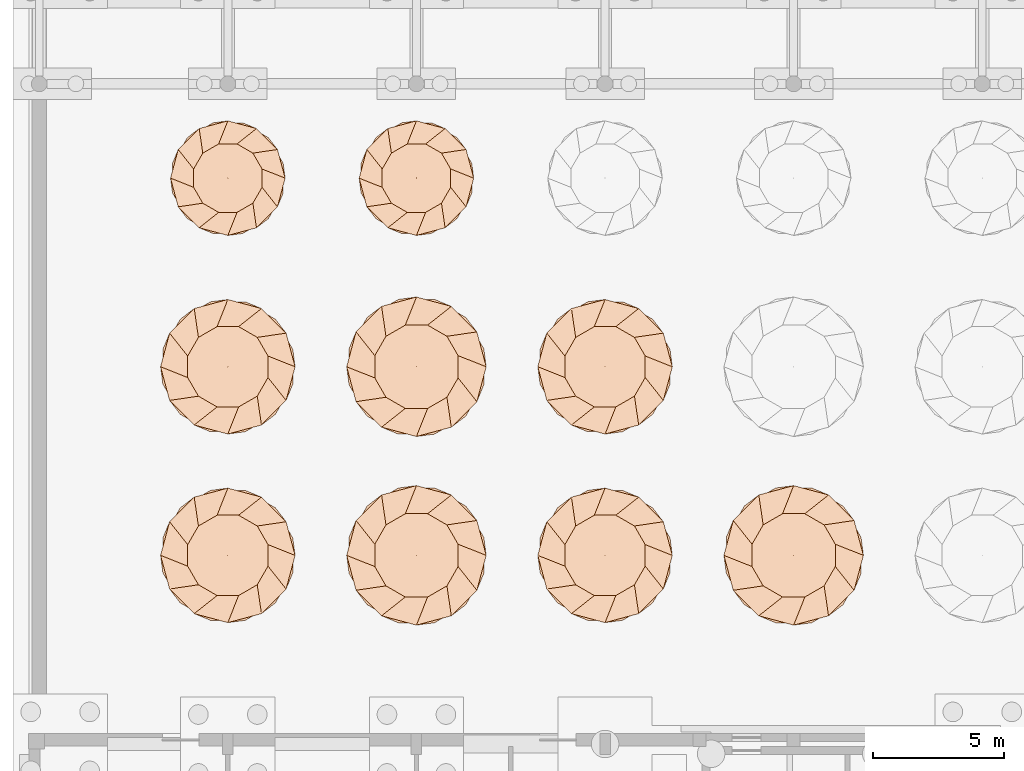
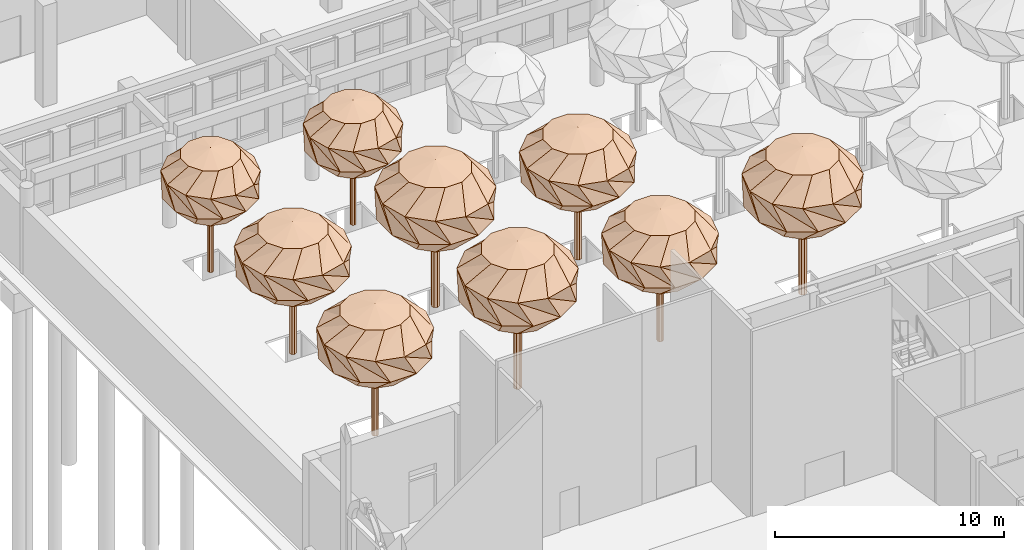
# One storey, part 76 of 80: 9 geographic elements.
"""IFC4 building model written with IfcOpenShell, lengths in metres."""

from ifc_helpers import new_model, si_unit, direction, frame, origin, place, context, subcontext, project, spatial, triangles, material, type_object, element, save


model = new_model("IFC4")

# Units and contexts
model_context = context("Model", 3, precision=1e-05, world=origin(), true_north=direction((0.0, 1.0)))
body_context = subcontext(model_context, "Body", "Model", "MODEL_VIEW")
ifc_project = project(units=[si_unit("LENGTHUNIT", "METRE"), si_unit("AREAUNIT", "SQUARE_METRE"), si_unit("VOLUMEUNIT", "CUBIC_METRE"), si_unit("PLANEANGLEUNIT", "RADIAN"), si_unit("MASSUNIT", "GRAM", prefix="KILO")], contexts=[model_context])

# Site, building, storey
site_placement = place(None, origin())
site = spatial("IfcSite", under=ifc_project, at=site_placement, CompositionType="ELEMENT")
building_placement = place(site_placement, origin())
building = spatial("IfcBuilding", under=site, at=building_placement, Name="Ussher Court Research Institute", CompositionType="ELEMENT")
storey_placement = place(building_placement, origin())
storey = spatial("IfcBuildingStorey", under=building, at=storey_placement, Name="L00", CompositionType="ELEMENT", Elevation=0.0)

# Geographic elements
ifc_material_1 = material(Name="Tree foliage and trunk")
geographic_element_type_1 = type_object("IfcGeographicElementType", Name="African mahogany 7.8 m", PredefinedType="USERDEFINED", material=ifc_material_1)
geographic_element_1_placement = place(storey_placement, frame((17.39990234375, 47.199951171875, -0.320068359375)))
element("IfcGeographicElement", 1, at=geographic_element_1_placement, inside=storey, type_object=geographic_element_type_1, Name="T16 African mahogany", ObjectType="TREE", PredefinedType="USERDEFINED", context=body_context, shape_type="Tessellation", body=[
    triangles([(0.1899, 0.0, 0.0), (0.1343, 0.1343, 0.0), (0.0, 0.1899, 0.0), (-0.1343, 0.1343, 0.0), (-0.1899, 0.0, 0.0), (-0.1343, -0.1343, 0.0), (0.0, -0.1899, 0.0), (0.1343, -0.1343, 0.0), (0.1899, 0.0, 4.8601), (0.1343, 0.1343, 4.8601), (0.0, 0.1899, 4.8601), (-0.1343, 0.1343, 4.8601), (-0.1899, 0.0, 4.8601), (-0.1343, -0.1343, 4.8601), (0.0, -0.1899, 4.8601), (0.1343, -0.1343, 4.8601), (0.0, 0.0, 7.8), (1.5897, 0.426, 7.399), (1.1638, 1.1638, 7.399), (0.426, 1.5897, 7.399), (-0.426, 1.5897, 7.399), (-1.1638, 1.1638, 7.399), (-1.5897, 0.426, 7.399), (-1.5897, -0.426, 7.399), (-1.1638, -1.1638, 7.399), (-0.426, -1.5897, 7.399), (0.426, -1.5897, 7.399), (1.1638, -1.1638, 7.399), (1.5897, -0.426, 7.399), (2.663, 0.0, 6.349), (2.3062, 1.3315, 6.349), (1.3315, 2.3062, 6.349), (0.0, 2.663, 6.349), (-1.3315, 2.3062, 6.349), (-2.3062, 1.3315, 6.349), (-2.663, 0.0, 6.349), (-2.3062, -1.3315, 6.349), (-1.3315, -2.3062, 6.349), (0.0, -2.663, 6.349), (1.3315, -2.3062, 6.349), (2.3062, -1.3315, 6.349), (2.5723, 0.6892, 5.0511), (1.883, 1.883, 5.0511), (0.6892, 2.5723, 5.0511), (-0.6892, 2.5723, 5.0511), (-1.883, 1.883, 5.0511), (-2.5723, 0.6892, 5.0511), (-2.5723, -0.6892, 5.0511), (-1.883, -1.883, 5.0511), (-0.6892, -2.5723, 5.0511), (0.6892, -2.5723, 5.0511), (1.883, -1.883, 5.0511), (2.5723, -0.6892, 5.0511), (1.6458, 0.0, 4.0012), (1.4253, 0.8229, 4.0012), (0.8229, 1.4253, 4.0012), (0.0, 1.6458, 4.0012), (-0.8229, 1.4253, 4.0012), (-1.4253, 0.8229, 4.0012), (-1.6458, 0.0, 4.0012), (-1.4253, -0.8229, 4.0012), (-0.8229, -1.4253, 4.0012), (0.0, -1.6458, 4.0012), (0.8229, -1.4253, 4.0012), (1.4253, -0.8229, 4.0012), (0.0, 0.0, 3.6001)], [[1, 2, 9], [2, 10, 9], [2, 3, 10], [3, 11, 10], [3, 4, 11], [4, 12, 11], [4, 5, 12], [5, 13, 12], [5, 6, 13], [6, 14, 13], [6, 7, 14], [7, 15, 14], [7, 8, 15], [8, 16, 15], [8, 1, 16], [1, 9, 16], [1, 3, 2], [9, 10, 11], [1, 4, 3], [9, 11, 12], [1, 5, 4], [9, 12, 13], [1, 6, 5], [9, 13, 14], [1, 7, 6], [9, 14, 15], [1, 8, 7], [9, 15, 16], [17, 18, 19], [17, 19, 20], [17, 20, 21], [17, 21, 22], [17, 22, 23], [17, 23, 24], [17, 24, 25], [17, 25, 26], [17, 26, 27], [17, 27, 28], [17, 28, 29], [17, 29, 18], [18, 30, 19], [19, 30, 31], [19, 31, 20], [20, 31, 32], [20, 32, 21], [21, 32, 33], [21, 33, 22], [22, 33, 34], [22, 34, 23], [23, 34, 35], [23, 35, 24], [24, 35, 36], [24, 36, 25], [25, 36, 37], [25, 37, 26], [26, 37, 38], [26, 38, 27], [27, 38, 39], [27, 39, 28], [28, 39, 40], [28, 40, 29], [29, 40, 41], [29, 41, 18], [18, 41, 30], [30, 43, 31], [30, 42, 43], [31, 44, 32], [31, 43, 44], [32, 45, 33], [32, 44, 45], [33, 46, 34], [33, 45, 46], [34, 47, 35], [34, 46, 47], [35, 48, 36], [35, 47, 48], [36, 49, 37], [36, 48, 49], [37, 50, 38], [37, 49, 50], [38, 51, 39], [38, 50, 51], [39, 52, 40], [39, 51, 52], [40, 53, 41], [40, 52, 53], [41, 42, 30], [41, 53, 42], [42, 54, 43], [43, 54, 55], [43, 55, 44], [44, 55, 56], [44, 56, 45], [45, 56, 57], [45, 57, 46], [46, 57, 58], [46, 58, 47], [47, 58, 59], [47, 59, 48], [48, 59, 60], [48, 60, 49], [49, 60, 61], [49, 61, 50], [50, 61, 62], [50, 62, 51], [51, 62, 63], [51, 63, 52], [52, 63, 64], [52, 64, 53], [53, 64, 65], [53, 65, 42], [42, 65, 54], [66, 55, 54], [66, 56, 55], [66, 57, 56], [66, 58, 57], [66, 59, 58], [66, 60, 59], [66, 61, 60], [66, 62, 61], [66, 63, 62], [66, 64, 63], [66, 65, 64], [66, 54, 65]], closed=False),
])
geographic_element_2_placement = place(storey_placement, frame((31.800048828125, 47.199951171875, -0.320068359375)))
element("IfcGeographicElement", 2, at=geographic_element_2_placement, inside=storey, type_object=geographic_element_type_1, Name="T17 African mahogany", ObjectType="TREE", PredefinedType="USERDEFINED", context=body_context, shape_type="Tessellation", body=[
    triangles([(0.1899, 0.0, 0.0), (0.1343, 0.1343, 0.0), (0.0, 0.1899, 0.0), (-0.1343, 0.1343, 0.0), (-0.1899, 0.0, 0.0), (-0.1343, -0.1343, 0.0), (0.0, -0.1899, 0.0), (0.1343, -0.1343, 0.0), (0.1899, 0.0, 4.8601), (0.1343, 0.1343, 4.8601), (0.0, 0.1899, 4.8601), (-0.1343, 0.1343, 4.8601), (-0.1899, 0.0, 4.8601), (-0.1343, -0.1343, 4.8601), (0.0, -0.1899, 4.8601), (0.1343, -0.1343, 4.8601), (0.0, 0.0, 7.8), (1.5897, 0.426, 7.399), (1.1638, 1.1638, 7.399), (0.426, 1.5897, 7.399), (-0.426, 1.5897, 7.399), (-1.1638, 1.1638, 7.399), (-1.5897, 0.426, 7.399), (-1.5897, -0.426, 7.399), (-1.1638, -1.1638, 7.399), (-0.426, -1.5897, 7.399), (0.426, -1.5897, 7.399), (1.1638, -1.1638, 7.399), (1.5897, -0.426, 7.399), (2.663, 0.0, 6.349), (2.3062, 1.3315, 6.349), (1.3315, 2.3062, 6.349), (0.0, 2.663, 6.349), (-1.3315, 2.3062, 6.349), (-2.3062, 1.3315, 6.349), (-2.663, 0.0, 6.349), (-2.3062, -1.3315, 6.349), (-1.3315, -2.3062, 6.349), (0.0, -2.663, 6.349), (1.3315, -2.3062, 6.349), (2.3062, -1.3315, 6.349), (2.5723, 0.6892, 5.0511), (1.883, 1.883, 5.0511), (0.6892, 2.5723, 5.0511), (-0.6892, 2.5723, 5.0511), (-1.883, 1.883, 5.0511), (-2.5723, 0.6892, 5.0511), (-2.5723, -0.6892, 5.0511), (-1.883, -1.883, 5.0511), (-0.6892, -2.5723, 5.0511), (0.6892, -2.5723, 5.0511), (1.883, -1.883, 5.0511), (2.5723, -0.6892, 5.0511), (1.6458, 0.0, 4.0012), (1.4253, 0.8229, 4.0012), (0.8229, 1.4253, 4.0012), (0.0, 1.6458, 4.0012), (-0.8229, 1.4253, 4.0012), (-1.4253, 0.8229, 4.0012), (-1.6458, 0.0, 4.0012), (-1.4253, -0.8229, 4.0012), (-0.8229, -1.4253, 4.0012), (0.0, -1.6458, 4.0012), (0.8229, -1.4253, 4.0012), (1.4253, -0.8229, 4.0012), (0.0, 0.0, 3.6001)], [[1, 2, 9], [2, 10, 9], [2, 3, 10], [3, 11, 10], [3, 4, 11], [4, 12, 11], [4, 5, 12], [5, 13, 12], [5, 6, 13], [6, 14, 13], [6, 7, 14], [7, 15, 14], [7, 8, 15], [8, 16, 15], [8, 1, 16], [1, 9, 16], [1, 3, 2], [9, 10, 11], [1, 4, 3], [9, 11, 12], [1, 5, 4], [9, 12, 13], [1, 6, 5], [9, 13, 14], [1, 7, 6], [9, 14, 15], [1, 8, 7], [9, 15, 16], [17, 18, 19], [17, 19, 20], [17, 20, 21], [17, 21, 22], [17, 22, 23], [17, 23, 24], [17, 24, 25], [17, 25, 26], [17, 26, 27], [17, 27, 28], [17, 28, 29], [17, 29, 18], [18, 30, 19], [19, 30, 31], [19, 31, 20], [20, 31, 32], [20, 32, 21], [21, 32, 33], [21, 33, 22], [22, 33, 34], [22, 34, 23], [23, 34, 35], [23, 35, 24], [24, 35, 36], [24, 36, 25], [25, 36, 37], [25, 37, 26], [26, 37, 38], [26, 38, 27], [27, 38, 39], [27, 39, 28], [28, 39, 40], [28, 40, 29], [29, 40, 41], [29, 41, 18], [18, 41, 30], [30, 43, 31], [30, 42, 43], [31, 44, 32], [31, 43, 44], [32, 45, 33], [32, 44, 45], [33, 46, 34], [33, 45, 46], [34, 47, 35], [34, 46, 47], [35, 48, 36], [35, 47, 48], [36, 49, 37], [36, 48, 49], [37, 50, 38], [37, 49, 50], [38, 51, 39], [38, 50, 51], [39, 52, 40], [39, 51, 52], [40, 53, 41], [40, 52, 53], [41, 42, 30], [41, 53, 42], [42, 54, 43], [43, 54, 55], [43, 55, 44], [44, 55, 56], [44, 56, 45], [45, 56, 57], [45, 57, 46], [46, 57, 58], [46, 58, 47], [47, 58, 59], [47, 59, 48], [48, 59, 60], [48, 60, 49], [49, 60, 61], [49, 61, 50], [50, 61, 62], [50, 62, 51], [51, 62, 63], [51, 63, 52], [52, 63, 64], [52, 64, 53], [53, 64, 65], [53, 65, 42], [42, 65, 54], [66, 55, 54], [66, 56, 55], [66, 57, 56], [66, 58, 57], [66, 59, 58], [66, 60, 59], [66, 61, 60], [66, 62, 61], [66, 63, 62], [66, 64, 63], [66, 65, 64], [66, 54, 65]], closed=False),
])
geographic_element_3_placement = place(storey_placement, frame((17.39990234375, 54.39990234375, -0.320068359375)))
element("IfcGeographicElement", 3, at=geographic_element_3_placement, inside=storey, type_object=geographic_element_type_1, Name="T22 African mahogany", ObjectType="TREE", PredefinedType="USERDEFINED", context=body_context, shape_type="Tessellation", body=[
    triangles([(0.1899, 0.0, 0.0), (0.1343, 0.1343, 0.0), (0.0, 0.1899, 0.0), (-0.1343, 0.1343, 0.0), (-0.1899, 0.0, 0.0), (-0.1343, -0.1343, 0.0), (0.0, -0.1899, 0.0), (0.1343, -0.1343, 0.0), (0.1899, 0.0, 4.8601), (0.1343, 0.1343, 4.8601), (0.0, 0.1899, 4.8601), (-0.1343, 0.1343, 4.8601), (-0.1899, 0.0, 4.8601), (-0.1343, -0.1343, 4.8601), (0.0, -0.1899, 4.8601), (0.1343, -0.1343, 4.8601), (0.0, 0.0, 7.8), (1.5897, 0.426, 7.399), (1.1638, 1.1638, 7.399), (0.426, 1.5897, 7.399), (-0.426, 1.5897, 7.399), (-1.1638, 1.1638, 7.399), (-1.5897, 0.426, 7.399), (-1.5897, -0.426, 7.399), (-1.1638, -1.1638, 7.399), (-0.426, -1.5897, 7.399), (0.426, -1.5897, 7.399), (1.1638, -1.1638, 7.399), (1.5897, -0.426, 7.399), (2.663, 0.0, 6.349), (2.3062, 1.3315, 6.349), (1.3315, 2.3062, 6.349), (0.0, 2.663, 6.349), (-1.3315, 2.3062, 6.349), (-2.3062, 1.3315, 6.349), (-2.663, 0.0, 6.349), (-2.3062, -1.3315, 6.349), (-1.3315, -2.3062, 6.349), (0.0, -2.663, 6.349), (1.3315, -2.3062, 6.349), (2.3062, -1.3315, 6.349), (2.5723, 0.6892, 5.0511), (1.883, 1.883, 5.0511), (0.6892, 2.5723, 5.0511), (-0.6892, 2.5723, 5.0511), (-1.883, 1.883, 5.0511), (-2.5723, 0.6892, 5.0511), (-2.5723, -0.6892, 5.0511), (-1.883, -1.883, 5.0511), (-0.6892, -2.5723, 5.0511), (0.6892, -2.5723, 5.0511), (1.883, -1.883, 5.0511), (2.5723, -0.6892, 5.0511), (1.6458, 0.0, 4.0012), (1.4253, 0.8229, 4.0012), (0.8229, 1.4253, 4.0012), (0.0, 1.6458, 4.0012), (-0.8229, 1.4253, 4.0012), (-1.4253, 0.8229, 4.0012), (-1.6458, 0.0, 4.0012), (-1.4253, -0.8229, 4.0012), (-0.8229, -1.4253, 4.0012), (0.0, -1.6458, 4.0012), (0.8229, -1.4253, 4.0012), (1.4253, -0.8229, 4.0012), (0.0, 0.0, 3.6001)], [[1, 2, 9], [2, 10, 9], [2, 3, 10], [3, 11, 10], [3, 4, 11], [4, 12, 11], [4, 5, 12], [5, 13, 12], [5, 6, 13], [6, 14, 13], [6, 7, 14], [7, 15, 14], [7, 8, 15], [8, 16, 15], [8, 1, 16], [1, 9, 16], [1, 3, 2], [9, 10, 11], [1, 4, 3], [9, 11, 12], [1, 5, 4], [9, 12, 13], [1, 6, 5], [9, 13, 14], [1, 7, 6], [9, 14, 15], [1, 8, 7], [9, 15, 16], [17, 18, 19], [17, 19, 20], [17, 20, 21], [17, 21, 22], [17, 22, 23], [17, 23, 24], [17, 24, 25], [17, 25, 26], [17, 26, 27], [17, 27, 28], [17, 28, 29], [17, 29, 18], [18, 30, 19], [19, 30, 31], [19, 31, 20], [20, 31, 32], [20, 32, 21], [21, 32, 33], [21, 33, 22], [22, 33, 34], [22, 34, 23], [23, 34, 35], [23, 35, 24], [24, 35, 36], [24, 36, 25], [25, 36, 37], [25, 37, 26], [26, 37, 38], [26, 38, 27], [27, 38, 39], [27, 39, 28], [28, 39, 40], [28, 40, 29], [29, 40, 41], [29, 41, 18], [18, 41, 30], [30, 43, 31], [30, 42, 43], [31, 44, 32], [31, 43, 44], [32, 45, 33], [32, 44, 45], [33, 46, 34], [33, 45, 46], [34, 47, 35], [34, 46, 47], [35, 48, 36], [35, 47, 48], [36, 49, 37], [36, 48, 49], [37, 50, 38], [37, 49, 50], [38, 51, 39], [38, 50, 51], [39, 52, 40], [39, 51, 52], [40, 53, 41], [40, 52, 53], [41, 42, 30], [41, 53, 42], [42, 54, 43], [43, 54, 55], [43, 55, 44], [44, 55, 56], [44, 56, 45], [45, 56, 57], [45, 57, 46], [46, 57, 58], [46, 58, 47], [47, 58, 59], [47, 59, 48], [48, 59, 60], [48, 60, 49], [49, 60, 61], [49, 61, 50], [50, 61, 62], [50, 62, 51], [51, 62, 63], [51, 63, 52], [52, 63, 64], [52, 64, 53], [53, 64, 65], [53, 65, 42], [42, 65, 54], [66, 55, 54], [66, 56, 55], [66, 57, 56], [66, 58, 57], [66, 59, 58], [66, 60, 59], [66, 61, 60], [66, 62, 61], [66, 63, 62], [66, 64, 63], [66, 65, 64], [66, 54, 65]], closed=False),
])
ifc_material_2 = material(Name="Tree foliage and trunk")
geographic_element_type_2 = type_object("IfcGeographicElementType", Name="Golden shower tree 6.6 m", PredefinedType="USERDEFINED", material=ifc_material_2)
geographic_element_4_placement = place(storey_placement, frame((10.199951171875, 61.60009765625, -0.320068359375)))
element("IfcGeographicElement", 4, at=geographic_element_4_placement, inside=storey, type_object=geographic_element_type_2, Name="T29 Golden shower tree", ObjectType="TREE", PredefinedType="USERDEFINED", context=body_context, shape_type="Tessellation", body=[
    triangles([(0.14, 0.0, 0.0), (0.099, 0.099, 0.0), (0.0, 0.14, 0.0), (-0.099, 0.099, 0.0), (-0.14, 0.0, 0.0), (-0.099, -0.099, 0.0), (0.0, -0.14, 0.0), (0.099, -0.099, 0.0), (0.14, 0.0, 4.08), (0.099, 0.099, 4.08), (0.0, 0.14, 4.08), (-0.099, 0.099, 4.08), (-0.14, 0.0, 4.08), (-0.099, -0.099, 4.08), (0.0, -0.14, 4.08), (0.099, -0.099, 4.08), (0.0, 0.0, 6.6001), (1.3059, 0.3499, 6.2563), (0.956, 0.956, 6.2563), (0.3499, 1.3059, 6.2563), (-0.3499, 1.3059, 6.2563), (-0.956, 0.956, 6.2563), (-1.3059, 0.3499, 6.2563), (-1.3059, -0.3499, 6.2563), (-0.956, -0.956, 6.2563), (-0.3499, -1.3059, 6.2563), (0.3499, -1.3059, 6.2563), (0.956, -0.956, 6.2563), (1.3059, -0.3499, 6.2563), (2.1875, 0.0, 5.3563), (1.8944, 1.0937, 5.3563), (1.0937, 1.8944, 5.3563), (0.0, 2.1875, 5.3563), (-1.0937, 1.8944, 5.3563), (-1.8944, 1.0937, 5.3563), (-2.1875, 0.0, 5.3563), (-1.8944, -1.0937, 5.3563), (-1.0937, -1.8944, 5.3563), (0.0, -2.1875, 5.3563), (1.0937, -1.8944, 5.3563), (1.8944, -1.0937, 5.3563), (2.1129, 0.5662, 4.2438), (1.5468, 1.5468, 4.2438), (0.5662, 2.1129, 4.2438), (-0.5662, 2.1129, 4.2438), (-1.5468, 1.5468, 4.2438), (-2.1129, 0.5662, 4.2438), (-2.1129, -0.5662, 4.2438), (-1.5468, -1.5468, 4.2438), (-0.5662, -2.1129, 4.2438), (0.5662, -2.1129, 4.2438), (1.5468, -1.5468, 4.2438), (2.1129, -0.5662, 4.2438), (1.3519, 0.0, 3.3438), (1.1708, 0.676, 3.3438), (0.676, 1.1708, 3.3438), (0.0, 1.3519, 3.3438), (-0.676, 1.1708, 3.3438), (-1.1708, 0.676, 3.3438), (-1.3519, 0.0, 3.3438), (-1.1708, -0.676, 3.3438), (-0.676, -1.1708, 3.3438), (0.0, -1.3519, 3.3438), (0.676, -1.1708, 3.3438), (1.1708, -0.676, 3.3438), (0.0, 0.0, 3.0)], [[1, 2, 9], [2, 10, 9], [2, 3, 10], [3, 11, 10], [3, 4, 11], [4, 12, 11], [4, 5, 12], [5, 13, 12], [5, 6, 13], [6, 14, 13], [6, 7, 14], [7, 15, 14], [7, 8, 15], [8, 16, 15], [8, 1, 16], [1, 9, 16], [1, 3, 2], [9, 10, 11], [1, 4, 3], [9, 11, 12], [1, 5, 4], [9, 12, 13], [1, 6, 5], [9, 13, 14], [1, 7, 6], [9, 14, 15], [1, 8, 7], [9, 15, 16], [17, 18, 19], [17, 19, 20], [17, 20, 21], [17, 21, 22], [17, 22, 23], [17, 23, 24], [17, 24, 25], [17, 25, 26], [17, 26, 27], [17, 27, 28], [17, 28, 29], [17, 29, 18], [18, 30, 19], [19, 30, 31], [19, 31, 20], [20, 31, 32], [20, 32, 21], [21, 32, 33], [21, 33, 22], [22, 33, 34], [22, 34, 23], [23, 34, 35], [23, 35, 24], [24, 35, 36], [24, 36, 25], [25, 36, 37], [25, 37, 26], [26, 37, 38], [26, 38, 27], [27, 38, 39], [27, 39, 28], [28, 39, 40], [28, 40, 29], [29, 40, 41], [29, 41, 18], [18, 41, 30], [30, 43, 31], [30, 42, 43], [31, 44, 32], [31, 43, 44], [32, 45, 33], [32, 44, 45], [33, 46, 34], [33, 45, 46], [34, 47, 35], [34, 46, 47], [35, 48, 36], [35, 47, 48], [36, 49, 37], [36, 48, 49], [37, 50, 38], [37, 49, 50], [38, 51, 39], [38, 50, 51], [39, 52, 40], [39, 51, 52], [40, 53, 41], [40, 52, 53], [41, 42, 30], [41, 53, 42], [42, 54, 43], [43, 54, 55], [43, 55, 44], [44, 55, 56], [44, 56, 45], [45, 56, 57], [45, 57, 46], [46, 57, 58], [46, 58, 47], [47, 58, 59], [47, 59, 48], [48, 59, 60], [48, 60, 49], [49, 60, 61], [49, 61, 50], [50, 61, 62], [50, 62, 51], [51, 62, 63], [51, 63, 52], [52, 63, 64], [52, 64, 53], [53, 64, 65], [53, 65, 42], [42, 65, 54], [66, 55, 54], [66, 56, 55], [66, 57, 56], [66, 58, 57], [66, 59, 58], [66, 60, 59], [66, 61, 60], [66, 62, 61], [66, 63, 62], [66, 64, 63], [66, 65, 64], [66, 54, 65]], closed=False),
])
geographic_element_5_placement = place(storey_placement, frame((17.39990234375, 61.60009765625, -0.320068359375)))
element("IfcGeographicElement", 5, at=geographic_element_5_placement, inside=storey, type_object=geographic_element_type_2, Name="T30 Golden shower tree", ObjectType="TREE", PredefinedType="USERDEFINED", context=body_context, shape_type="Tessellation", body=[
    triangles([(0.14, 0.0, 0.0), (0.099, 0.099, 0.0), (0.0, 0.14, 0.0), (-0.099, 0.099, 0.0), (-0.14, 0.0, 0.0), (-0.099, -0.099, 0.0), (0.0, -0.14, 0.0), (0.099, -0.099, 0.0), (0.14, 0.0, 4.08), (0.099, 0.099, 4.08), (0.0, 0.14, 4.08), (-0.099, 0.099, 4.08), (-0.14, 0.0, 4.08), (-0.099, -0.099, 4.08), (0.0, -0.14, 4.08), (0.099, -0.099, 4.08), (0.0, 0.0, 6.6001), (1.3059, 0.3499, 6.2563), (0.956, 0.956, 6.2563), (0.3499, 1.3059, 6.2563), (-0.3499, 1.3059, 6.2563), (-0.956, 0.956, 6.2563), (-1.3059, 0.3499, 6.2563), (-1.3059, -0.3499, 6.2563), (-0.956, -0.956, 6.2563), (-0.3499, -1.3059, 6.2563), (0.3499, -1.3059, 6.2563), (0.956, -0.956, 6.2563), (1.3059, -0.3499, 6.2563), (2.1875, 0.0, 5.3563), (1.8944, 1.0937, 5.3563), (1.0937, 1.8944, 5.3563), (0.0, 2.1875, 5.3563), (-1.0937, 1.8944, 5.3563), (-1.8944, 1.0937, 5.3563), (-2.1875, 0.0, 5.3563), (-1.8944, -1.0937, 5.3563), (-1.0937, -1.8944, 5.3563), (0.0, -2.1875, 5.3563), (1.0937, -1.8944, 5.3563), (1.8944, -1.0937, 5.3563), (2.1129, 0.5662, 4.2438), (1.5468, 1.5468, 4.2438), (0.5662, 2.1129, 4.2438), (-0.5662, 2.1129, 4.2438), (-1.5468, 1.5468, 4.2438), (-2.1129, 0.5662, 4.2438), (-2.1129, -0.5662, 4.2438), (-1.5468, -1.5468, 4.2438), (-0.5662, -2.1129, 4.2438), (0.5662, -2.1129, 4.2438), (1.5468, -1.5468, 4.2438), (2.1129, -0.5662, 4.2438), (1.3519, 0.0, 3.3438), (1.1708, 0.676, 3.3438), (0.676, 1.1708, 3.3438), (0.0, 1.3519, 3.3438), (-0.676, 1.1708, 3.3438), (-1.1708, 0.676, 3.3438), (-1.3519, 0.0, 3.3438), (-1.1708, -0.676, 3.3438), (-0.676, -1.1708, 3.3438), (0.0, -1.3519, 3.3438), (0.676, -1.1708, 3.3438), (1.1708, -0.676, 3.3438), (0.0, 0.0, 3.0)], [[1, 2, 9], [2, 10, 9], [2, 3, 10], [3, 11, 10], [3, 4, 11], [4, 12, 11], [4, 5, 12], [5, 13, 12], [5, 6, 13], [6, 14, 13], [6, 7, 14], [7, 15, 14], [7, 8, 15], [8, 16, 15], [8, 1, 16], [1, 9, 16], [1, 3, 2], [9, 10, 11], [1, 4, 3], [9, 11, 12], [1, 5, 4], [9, 12, 13], [1, 6, 5], [9, 13, 14], [1, 7, 6], [9, 14, 15], [1, 8, 7], [9, 15, 16], [17, 18, 19], [17, 19, 20], [17, 20, 21], [17, 21, 22], [17, 22, 23], [17, 23, 24], [17, 24, 25], [17, 25, 26], [17, 26, 27], [17, 27, 28], [17, 28, 29], [17, 29, 18], [18, 30, 19], [19, 30, 31], [19, 31, 20], [20, 31, 32], [20, 32, 21], [21, 32, 33], [21, 33, 22], [22, 33, 34], [22, 34, 23], [23, 34, 35], [23, 35, 24], [24, 35, 36], [24, 36, 25], [25, 36, 37], [25, 37, 26], [26, 37, 38], [26, 38, 27], [27, 38, 39], [27, 39, 28], [28, 39, 40], [28, 40, 29], [29, 40, 41], [29, 41, 18], [18, 41, 30], [30, 43, 31], [30, 42, 43], [31, 44, 32], [31, 43, 44], [32, 45, 33], [32, 44, 45], [33, 46, 34], [33, 45, 46], [34, 47, 35], [34, 46, 47], [35, 48, 36], [35, 47, 48], [36, 49, 37], [36, 48, 49], [37, 50, 38], [37, 49, 50], [38, 51, 39], [38, 50, 51], [39, 52, 40], [39, 51, 52], [40, 53, 41], [40, 52, 53], [41, 42, 30], [41, 53, 42], [42, 54, 43], [43, 54, 55], [43, 55, 44], [44, 55, 56], [44, 56, 45], [45, 56, 57], [45, 57, 46], [46, 57, 58], [46, 58, 47], [47, 58, 59], [47, 59, 48], [48, 59, 60], [48, 60, 49], [49, 60, 61], [49, 61, 50], [50, 61, 62], [50, 62, 51], [51, 62, 63], [51, 63, 52], [52, 63, 64], [52, 64, 53], [53, 64, 65], [53, 65, 42], [42, 65, 54], [66, 55, 54], [66, 56, 55], [66, 57, 56], [66, 58, 57], [66, 59, 58], [66, 60, 59], [66, 61, 60], [66, 62, 61], [66, 63, 62], [66, 64, 63], [66, 65, 64], [66, 54, 65]], closed=False),
])
ifc_material_3 = material(Name="Tree foliage and trunk")
geographic_element_type_3 = type_object("IfcGeographicElementType", Name="Indian almond 7.0 m", PredefinedType="USERDEFINED", material=ifc_material_3)
geographic_element_6_placement = place(storey_placement, frame((10.199951171875, 47.199951171875, -0.320068359375)))
element("IfcGeographicElement", 6, at=geographic_element_6_placement, inside=storey, type_object=geographic_element_type_3, Name="T04 Indian almond", ObjectType="TREE", PredefinedType="USERDEFINED", context=body_context, shape_type="Tessellation", body=[
    triangles([(0.16, 0.0, 0.0), (0.1132, 0.1132, 0.0), (0.0, 0.16, 0.0), (-0.1132, 0.1132, 0.0), (-0.16, 0.0, 0.0), (-0.1132, -0.1132, 0.0), (0.0, -0.16, 0.0), (0.1132, -0.1132, 0.0), (0.16, 0.0, 4.34), (0.1132, 0.1132, 4.34), (0.0, 0.16, 4.34), (-0.1132, 0.1132, 4.34), (-0.16, 0.0, 4.34), (-0.1132, -0.1132, 4.34), (0.0, -0.16, 4.34), (0.1132, -0.1132, 4.34), (0.0, 0.0, 7.0), (1.5329, 0.4107, 6.6371), (1.1222, 1.1222, 6.6371), (0.4107, 1.5329, 6.6371), (-0.4107, 1.5329, 6.6371), (-1.1222, 1.1222, 6.6371), (-1.5329, 0.4107, 6.6371), (-1.5329, -0.4107, 6.6371), (-1.1222, -1.1222, 6.6371), (-0.4107, -1.5329, 6.6371), (0.4107, -1.5329, 6.6371), (1.1222, -1.1222, 6.6371), (1.5329, -0.4107, 6.6371), (2.5678, 0.0, 5.6871), (2.2238, 1.2839, 5.6871), (1.2839, 2.2238, 5.6871), (0.0, 2.5678, 5.6871), (-1.2839, 2.2238, 5.6871), (-2.2238, 1.2839, 5.6871), (-2.5678, 0.0, 5.6871), (-2.2238, -1.2839, 5.6871), (-1.2839, -2.2238, 5.6871), (0.0, -2.5678, 5.6871), (1.2839, -2.2238, 5.6871), (2.2238, -1.2839, 5.6871), (2.4803, 0.6646, 4.5128), (1.8157, 1.8157, 4.5128), (0.6646, 2.4803, 4.5128), (-0.6646, 2.4803, 4.5128), (-1.8157, 1.8157, 4.5128), (-2.4803, 0.6646, 4.5128), (-2.4803, -0.6646, 4.5128), (-1.8157, -1.8157, 4.5128), (-0.6646, -2.4803, 4.5128), (0.6646, -2.4803, 4.5128), (1.8157, -1.8157, 4.5128), (2.4803, -0.6646, 4.5128), (1.587, 0.0, 3.5628), (1.3744, 0.7935, 3.5628), (0.7935, 1.3744, 3.5628), (0.0, 1.587, 3.5628), (-0.7935, 1.3744, 3.5628), (-1.3744, 0.7935, 3.5628), (-1.587, 0.0, 3.5628), (-1.3744, -0.7935, 3.5628), (-0.7935, -1.3744, 3.5628), (0.0, -1.587, 3.5628), (0.7935, -1.3744, 3.5628), (1.3744, -0.7935, 3.5628), (0.0, 0.0, 3.2)], [[1, 2, 9], [2, 10, 9], [2, 3, 10], [3, 11, 10], [3, 4, 11], [4, 12, 11], [4, 5, 12], [5, 13, 12], [5, 6, 13], [6, 14, 13], [6, 7, 14], [7, 15, 14], [7, 8, 15], [8, 16, 15], [8, 1, 16], [1, 9, 16], [1, 3, 2], [9, 10, 11], [1, 4, 3], [9, 11, 12], [1, 5, 4], [9, 12, 13], [1, 6, 5], [9, 13, 14], [1, 7, 6], [9, 14, 15], [1, 8, 7], [9, 15, 16], [17, 18, 19], [17, 19, 20], [17, 20, 21], [17, 21, 22], [17, 22, 23], [17, 23, 24], [17, 24, 25], [17, 25, 26], [17, 26, 27], [17, 27, 28], [17, 28, 29], [17, 29, 18], [18, 30, 19], [19, 30, 31], [19, 31, 20], [20, 31, 32], [20, 32, 21], [21, 32, 33], [21, 33, 22], [22, 33, 34], [22, 34, 23], [23, 34, 35], [23, 35, 24], [24, 35, 36], [24, 36, 25], [25, 36, 37], [25, 37, 26], [26, 37, 38], [26, 38, 27], [27, 38, 39], [27, 39, 28], [28, 39, 40], [28, 40, 29], [29, 40, 41], [29, 41, 18], [18, 41, 30], [30, 43, 31], [30, 42, 43], [31, 44, 32], [31, 43, 44], [32, 45, 33], [32, 44, 45], [33, 46, 34], [33, 45, 46], [34, 47, 35], [34, 46, 47], [35, 48, 36], [35, 47, 48], [36, 49, 37], [36, 48, 49], [37, 50, 38], [37, 49, 50], [38, 51, 39], [38, 50, 51], [39, 52, 40], [39, 51, 52], [40, 53, 41], [40, 52, 53], [41, 42, 30], [41, 53, 42], [42, 54, 43], [43, 54, 55], [43, 55, 44], [44, 55, 56], [44, 56, 45], [45, 56, 57], [45, 57, 46], [46, 57, 58], [46, 58, 47], [47, 58, 59], [47, 59, 48], [48, 59, 60], [48, 60, 49], [49, 60, 61], [49, 61, 50], [50, 61, 62], [50, 62, 51], [51, 62, 63], [51, 63, 52], [52, 63, 64], [52, 64, 53], [53, 64, 65], [53, 65, 42], [42, 65, 54], [66, 55, 54], [66, 56, 55], [66, 57, 56], [66, 58, 57], [66, 59, 58], [66, 60, 59], [66, 61, 60], [66, 62, 61], [66, 63, 62], [66, 64, 63], [66, 65, 64], [66, 54, 65]], closed=False),
])
geographic_element_7_placement = place(storey_placement, frame((24.60009765625, 47.199951171875, -0.320068359375)))
element("IfcGeographicElement", 7, at=geographic_element_7_placement, inside=storey, type_object=geographic_element_type_3, Name="T05 Indian almond", ObjectType="TREE", PredefinedType="USERDEFINED", context=body_context, shape_type="Tessellation", body=[
    triangles([(0.16, 0.0, 0.0), (0.1132, 0.1132, 0.0), (0.0, 0.16, 0.0), (-0.1132, 0.1132, 0.0), (-0.16, 0.0, 0.0), (-0.1132, -0.1132, 0.0), (0.0, -0.16, 0.0), (0.1132, -0.1132, 0.0), (0.16, 0.0, 4.34), (0.1132, 0.1132, 4.34), (0.0, 0.16, 4.34), (-0.1132, 0.1132, 4.34), (-0.16, 0.0, 4.34), (-0.1132, -0.1132, 4.34), (0.0, -0.16, 4.34), (0.1132, -0.1132, 4.34), (0.0, 0.0, 7.0), (1.5329, 0.4107, 6.6371), (1.1222, 1.1222, 6.6371), (0.4107, 1.5329, 6.6371), (-0.4107, 1.5329, 6.6371), (-1.1222, 1.1222, 6.6371), (-1.5329, 0.4107, 6.6371), (-1.5329, -0.4107, 6.6371), (-1.1222, -1.1222, 6.6371), (-0.4107, -1.5329, 6.6371), (0.4107, -1.5329, 6.6371), (1.1222, -1.1222, 6.6371), (1.5329, -0.4107, 6.6371), (2.5678, 0.0, 5.6871), (2.2238, 1.2839, 5.6871), (1.2839, 2.2238, 5.6871), (0.0, 2.5678, 5.6871), (-1.2839, 2.2238, 5.6871), (-2.2238, 1.2839, 5.6871), (-2.5678, 0.0, 5.6871), (-2.2238, -1.2839, 5.6871), (-1.2839, -2.2238, 5.6871), (0.0, -2.5678, 5.6871), (1.2839, -2.2238, 5.6871), (2.2238, -1.2839, 5.6871), (2.4803, 0.6646, 4.5128), (1.8157, 1.8157, 4.5128), (0.6646, 2.4803, 4.5128), (-0.6646, 2.4803, 4.5128), (-1.8157, 1.8157, 4.5128), (-2.4803, 0.6646, 4.5128), (-2.4803, -0.6646, 4.5128), (-1.8157, -1.8157, 4.5128), (-0.6646, -2.4803, 4.5128), (0.6646, -2.4803, 4.5128), (1.8157, -1.8157, 4.5128), (2.4803, -0.6646, 4.5128), (1.587, 0.0, 3.5628), (1.3744, 0.7935, 3.5628), (0.7935, 1.3744, 3.5628), (0.0, 1.587, 3.5628), (-0.7935, 1.3744, 3.5628), (-1.3744, 0.7935, 3.5628), (-1.587, 0.0, 3.5628), (-1.3744, -0.7935, 3.5628), (-0.7935, -1.3744, 3.5628), (0.0, -1.587, 3.5628), (0.7935, -1.3744, 3.5628), (1.3744, -0.7935, 3.5628), (0.0, 0.0, 3.2)], [[1, 2, 9], [2, 10, 9], [2, 3, 10], [3, 11, 10], [3, 4, 11], [4, 12, 11], [4, 5, 12], [5, 13, 12], [5, 6, 13], [6, 14, 13], [6, 7, 14], [7, 15, 14], [7, 8, 15], [8, 16, 15], [8, 1, 16], [1, 9, 16], [1, 3, 2], [9, 10, 11], [1, 4, 3], [9, 11, 12], [1, 5, 4], [9, 12, 13], [1, 6, 5], [9, 13, 14], [1, 7, 6], [9, 14, 15], [1, 8, 7], [9, 15, 16], [17, 18, 19], [17, 19, 20], [17, 20, 21], [17, 21, 22], [17, 22, 23], [17, 23, 24], [17, 24, 25], [17, 25, 26], [17, 26, 27], [17, 27, 28], [17, 28, 29], [17, 29, 18], [18, 30, 19], [19, 30, 31], [19, 31, 20], [20, 31, 32], [20, 32, 21], [21, 32, 33], [21, 33, 22], [22, 33, 34], [22, 34, 23], [23, 34, 35], [23, 35, 24], [24, 35, 36], [24, 36, 25], [25, 36, 37], [25, 37, 26], [26, 37, 38], [26, 38, 27], [27, 38, 39], [27, 39, 28], [28, 39, 40], [28, 40, 29], [29, 40, 41], [29, 41, 18], [18, 41, 30], [30, 43, 31], [30, 42, 43], [31, 44, 32], [31, 43, 44], [32, 45, 33], [32, 44, 45], [33, 46, 34], [33, 45, 46], [34, 47, 35], [34, 46, 47], [35, 48, 36], [35, 47, 48], [36, 49, 37], [36, 48, 49], [37, 50, 38], [37, 49, 50], [38, 51, 39], [38, 50, 51], [39, 52, 40], [39, 51, 52], [40, 53, 41], [40, 52, 53], [41, 42, 30], [41, 53, 42], [42, 54, 43], [43, 54, 55], [43, 55, 44], [44, 55, 56], [44, 56, 45], [45, 56, 57], [45, 57, 46], [46, 57, 58], [46, 58, 47], [47, 58, 59], [47, 59, 48], [48, 59, 60], [48, 60, 49], [49, 60, 61], [49, 61, 50], [50, 61, 62], [50, 62, 51], [51, 62, 63], [51, 63, 52], [52, 63, 64], [52, 64, 53], [53, 64, 65], [53, 65, 42], [42, 65, 54], [66, 55, 54], [66, 56, 55], [66, 57, 56], [66, 58, 57], [66, 59, 58], [66, 60, 59], [66, 61, 60], [66, 62, 61], [66, 63, 62], [66, 64, 63], [66, 65, 64], [66, 54, 65]], closed=False),
])
geographic_element_8_placement = place(storey_placement, frame((10.199951171875, 54.39990234375, -0.320068359375)))
element("IfcGeographicElement", 8, at=geographic_element_8_placement, inside=storey, type_object=geographic_element_type_3, Name="T09 Indian almond", ObjectType="TREE", PredefinedType="USERDEFINED", context=body_context, shape_type="Tessellation", body=[
    triangles([(0.16, 0.0, 0.0), (0.1132, 0.1132, 0.0), (0.0, 0.16, 0.0), (-0.1132, 0.1132, 0.0), (-0.16, 0.0, 0.0), (-0.1132, -0.1132, 0.0), (0.0, -0.16, 0.0), (0.1132, -0.1132, 0.0), (0.16, 0.0, 4.34), (0.1132, 0.1132, 4.34), (0.0, 0.16, 4.34), (-0.1132, 0.1132, 4.34), (-0.16, 0.0, 4.34), (-0.1132, -0.1132, 4.34), (0.0, -0.16, 4.34), (0.1132, -0.1132, 4.34), (0.0, 0.0, 7.0), (1.5329, 0.4107, 6.6371), (1.1222, 1.1222, 6.6371), (0.4107, 1.5329, 6.6371), (-0.4107, 1.5329, 6.6371), (-1.1222, 1.1222, 6.6371), (-1.5329, 0.4107, 6.6371), (-1.5329, -0.4107, 6.6371), (-1.1222, -1.1222, 6.6371), (-0.4107, -1.5329, 6.6371), (0.4107, -1.5329, 6.6371), (1.1222, -1.1222, 6.6371), (1.5329, -0.4107, 6.6371), (2.5678, 0.0, 5.6871), (2.2238, 1.2839, 5.6871), (1.2839, 2.2238, 5.6871), (0.0, 2.5678, 5.6871), (-1.2839, 2.2238, 5.6871), (-2.2238, 1.2839, 5.6871), (-2.5678, 0.0, 5.6871), (-2.2238, -1.2839, 5.6871), (-1.2839, -2.2238, 5.6871), (0.0, -2.5678, 5.6871), (1.2839, -2.2238, 5.6871), (2.2238, -1.2839, 5.6871), (2.4803, 0.6646, 4.5128), (1.8157, 1.8157, 4.5128), (0.6646, 2.4803, 4.5128), (-0.6646, 2.4803, 4.5128), (-1.8157, 1.8157, 4.5128), (-2.4803, 0.6646, 4.5128), (-2.4803, -0.6646, 4.5128), (-1.8157, -1.8157, 4.5128), (-0.6646, -2.4803, 4.5128), (0.6646, -2.4803, 4.5128), (1.8157, -1.8157, 4.5128), (2.4803, -0.6646, 4.5128), (1.587, 0.0, 3.5628), (1.3744, 0.7935, 3.5628), (0.7935, 1.3744, 3.5628), (0.0, 1.587, 3.5628), (-0.7935, 1.3744, 3.5628), (-1.3744, 0.7935, 3.5628), (-1.587, 0.0, 3.5628), (-1.3744, -0.7935, 3.5628), (-0.7935, -1.3744, 3.5628), (0.0, -1.587, 3.5628), (0.7935, -1.3744, 3.5628), (1.3744, -0.7935, 3.5628), (0.0, 0.0, 3.2)], [[1, 2, 9], [2, 10, 9], [2, 3, 10], [3, 11, 10], [3, 4, 11], [4, 12, 11], [4, 5, 12], [5, 13, 12], [5, 6, 13], [6, 14, 13], [6, 7, 14], [7, 15, 14], [7, 8, 15], [8, 16, 15], [8, 1, 16], [1, 9, 16], [1, 3, 2], [9, 10, 11], [1, 4, 3], [9, 11, 12], [1, 5, 4], [9, 12, 13], [1, 6, 5], [9, 13, 14], [1, 7, 6], [9, 14, 15], [1, 8, 7], [9, 15, 16], [17, 18, 19], [17, 19, 20], [17, 20, 21], [17, 21, 22], [17, 22, 23], [17, 23, 24], [17, 24, 25], [17, 25, 26], [17, 26, 27], [17, 27, 28], [17, 28, 29], [17, 29, 18], [18, 30, 19], [19, 30, 31], [19, 31, 20], [20, 31, 32], [20, 32, 21], [21, 32, 33], [21, 33, 22], [22, 33, 34], [22, 34, 23], [23, 34, 35], [23, 35, 24], [24, 35, 36], [24, 36, 25], [25, 36, 37], [25, 37, 26], [26, 37, 38], [26, 38, 27], [27, 38, 39], [27, 39, 28], [28, 39, 40], [28, 40, 29], [29, 40, 41], [29, 41, 18], [18, 41, 30], [30, 43, 31], [30, 42, 43], [31, 44, 32], [31, 43, 44], [32, 45, 33], [32, 44, 45], [33, 46, 34], [33, 45, 46], [34, 47, 35], [34, 46, 47], [35, 48, 36], [35, 47, 48], [36, 49, 37], [36, 48, 49], [37, 50, 38], [37, 49, 50], [38, 51, 39], [38, 50, 51], [39, 52, 40], [39, 51, 52], [40, 53, 41], [40, 52, 53], [41, 42, 30], [41, 53, 42], [42, 54, 43], [43, 54, 55], [43, 55, 44], [44, 55, 56], [44, 56, 45], [45, 56, 57], [45, 57, 46], [46, 57, 58], [46, 58, 47], [47, 58, 59], [47, 59, 48], [48, 59, 60], [48, 60, 49], [49, 60, 61], [49, 61, 50], [50, 61, 62], [50, 62, 51], [51, 62, 63], [51, 63, 52], [52, 63, 64], [52, 64, 53], [53, 64, 65], [53, 65, 42], [42, 65, 54], [66, 55, 54], [66, 56, 55], [66, 57, 56], [66, 58, 57], [66, 59, 58], [66, 60, 59], [66, 61, 60], [66, 62, 61], [66, 63, 62], [66, 64, 63], [66, 65, 64], [66, 54, 65]], closed=False),
])
geographic_element_9_placement = place(storey_placement, frame((24.60009765625, 54.39990234375, -0.320068359375)))
element("IfcGeographicElement", 9, at=geographic_element_9_placement, inside=storey, type_object=geographic_element_type_3, Name="T10 Indian almond", ObjectType="TREE", PredefinedType="USERDEFINED", context=body_context, shape_type="Tessellation", body=[
    triangles([(0.16, 0.0, 0.0), (0.1132, 0.1132, 0.0), (0.0, 0.16, 0.0), (-0.1132, 0.1132, 0.0), (-0.16, 0.0, 0.0), (-0.1132, -0.1132, 0.0), (0.0, -0.16, 0.0), (0.1132, -0.1132, 0.0), (0.16, 0.0, 4.34), (0.1132, 0.1132, 4.34), (0.0, 0.16, 4.34), (-0.1132, 0.1132, 4.34), (-0.16, 0.0, 4.34), (-0.1132, -0.1132, 4.34), (0.0, -0.16, 4.34), (0.1132, -0.1132, 4.34), (0.0, 0.0, 7.0), (1.5329, 0.4107, 6.6371), (1.1222, 1.1222, 6.6371), (0.4107, 1.5329, 6.6371), (-0.4107, 1.5329, 6.6371), (-1.1222, 1.1222, 6.6371), (-1.5329, 0.4107, 6.6371), (-1.5329, -0.4107, 6.6371), (-1.1222, -1.1222, 6.6371), (-0.4107, -1.5329, 6.6371), (0.4107, -1.5329, 6.6371), (1.1222, -1.1222, 6.6371), (1.5329, -0.4107, 6.6371), (2.5678, 0.0, 5.6871), (2.2238, 1.2839, 5.6871), (1.2839, 2.2238, 5.6871), (0.0, 2.5678, 5.6871), (-1.2839, 2.2238, 5.6871), (-2.2238, 1.2839, 5.6871), (-2.5678, 0.0, 5.6871), (-2.2238, -1.2839, 5.6871), (-1.2839, -2.2238, 5.6871), (0.0, -2.5678, 5.6871), (1.2839, -2.2238, 5.6871), (2.2238, -1.2839, 5.6871), (2.4803, 0.6646, 4.5128), (1.8157, 1.8157, 4.5128), (0.6646, 2.4803, 4.5128), (-0.6646, 2.4803, 4.5128), (-1.8157, 1.8157, 4.5128), (-2.4803, 0.6646, 4.5128), (-2.4803, -0.6646, 4.5128), (-1.8157, -1.8157, 4.5128), (-0.6646, -2.4803, 4.5128), (0.6646, -2.4803, 4.5128), (1.8157, -1.8157, 4.5128), (2.4803, -0.6646, 4.5128), (1.587, 0.0, 3.5628), (1.3744, 0.7935, 3.5628), (0.7935, 1.3744, 3.5628), (0.0, 1.587, 3.5628), (-0.7935, 1.3744, 3.5628), (-1.3744, 0.7935, 3.5628), (-1.587, 0.0, 3.5628), (-1.3744, -0.7935, 3.5628), (-0.7935, -1.3744, 3.5628), (0.0, -1.587, 3.5628), (0.7935, -1.3744, 3.5628), (1.3744, -0.7935, 3.5628), (0.0, 0.0, 3.2)], [[1, 2, 9], [2, 10, 9], [2, 3, 10], [3, 11, 10], [3, 4, 11], [4, 12, 11], [4, 5, 12], [5, 13, 12], [5, 6, 13], [6, 14, 13], [6, 7, 14], [7, 15, 14], [7, 8, 15], [8, 16, 15], [8, 1, 16], [1, 9, 16], [1, 3, 2], [9, 10, 11], [1, 4, 3], [9, 11, 12], [1, 5, 4], [9, 12, 13], [1, 6, 5], [9, 13, 14], [1, 7, 6], [9, 14, 15], [1, 8, 7], [9, 15, 16], [17, 18, 19], [17, 19, 20], [17, 20, 21], [17, 21, 22], [17, 22, 23], [17, 23, 24], [17, 24, 25], [17, 25, 26], [17, 26, 27], [17, 27, 28], [17, 28, 29], [17, 29, 18], [18, 30, 19], [19, 30, 31], [19, 31, 20], [20, 31, 32], [20, 32, 21], [21, 32, 33], [21, 33, 22], [22, 33, 34], [22, 34, 23], [23, 34, 35], [23, 35, 24], [24, 35, 36], [24, 36, 25], [25, 36, 37], [25, 37, 26], [26, 37, 38], [26, 38, 27], [27, 38, 39], [27, 39, 28], [28, 39, 40], [28, 40, 29], [29, 40, 41], [29, 41, 18], [18, 41, 30], [30, 43, 31], [30, 42, 43], [31, 44, 32], [31, 43, 44], [32, 45, 33], [32, 44, 45], [33, 46, 34], [33, 45, 46], [34, 47, 35], [34, 46, 47], [35, 48, 36], [35, 47, 48], [36, 49, 37], [36, 48, 49], [37, 50, 38], [37, 49, 50], [38, 51, 39], [38, 50, 51], [39, 52, 40], [39, 51, 52], [40, 53, 41], [40, 52, 53], [41, 42, 30], [41, 53, 42], [42, 54, 43], [43, 54, 55], [43, 55, 44], [44, 55, 56], [44, 56, 45], [45, 56, 57], [45, 57, 46], [46, 57, 58], [46, 58, 47], [47, 58, 59], [47, 59, 48], [48, 59, 60], [48, 60, 49], [49, 60, 61], [49, 61, 50], [50, 61, 62], [50, 62, 51], [51, 62, 63], [51, 63, 52], [52, 63, 64], [52, 64, 53], [53, 64, 65], [53, 65, 42], [42, 65, 54], [66, 55, 54], [66, 56, 55], [66, 57, 56], [66, 58, 57], [66, 59, 58], [66, 60, 59], [66, 61, 60], [66, 62, 61], [66, 63, 62], [66, 64, 63], [66, 65, 64], [66, 54, 65]], closed=False),
])

save(model, "model.ifc")
